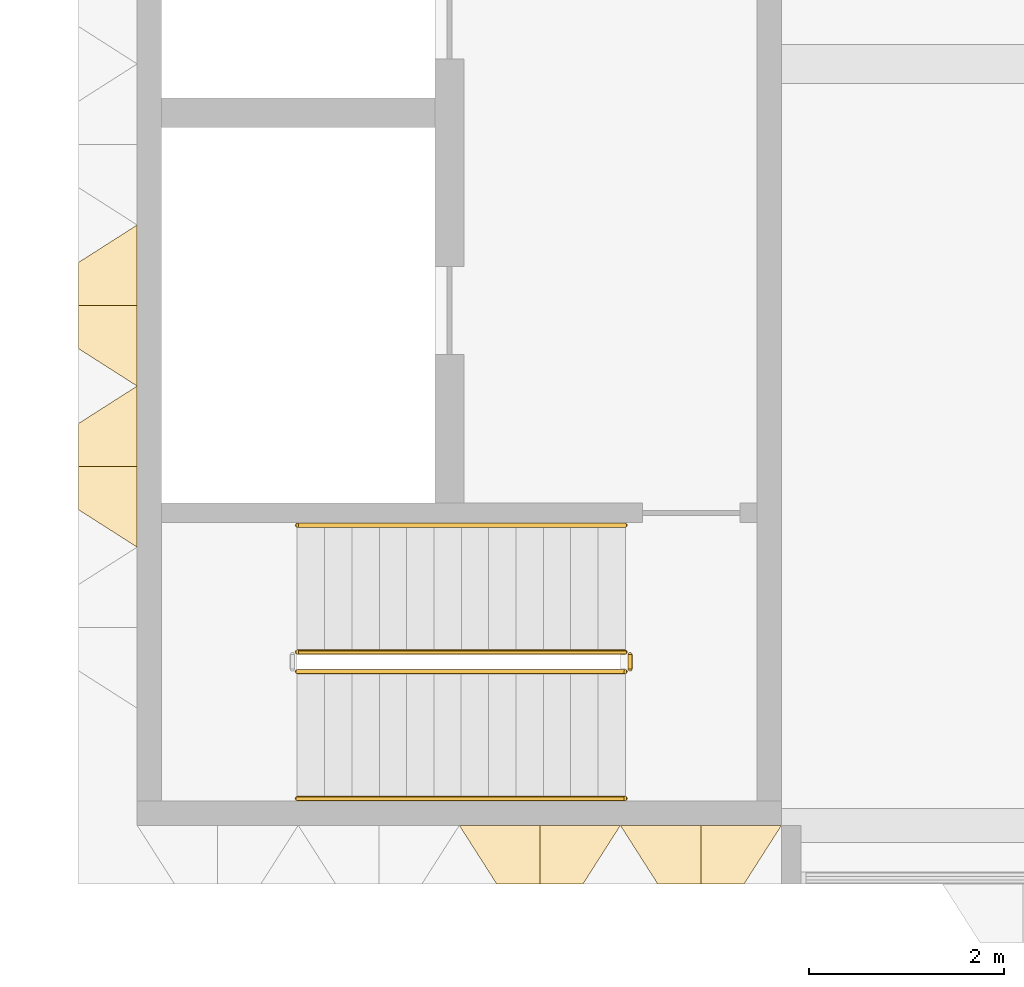
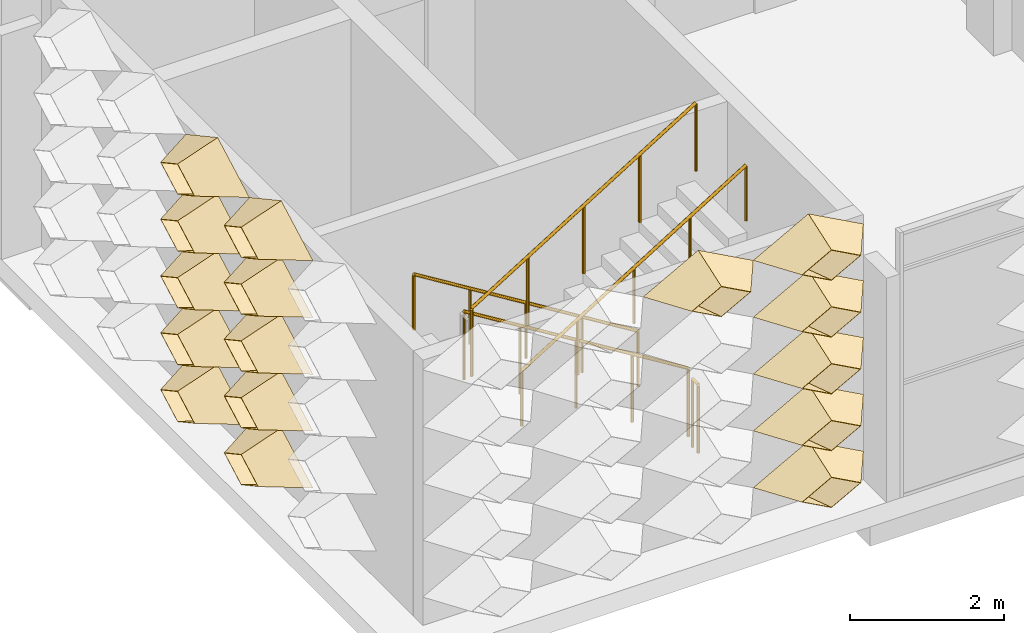
# One storey, part 12 of 28: 16 coverings, 5 railings.
"""IFC4 building model written with IfcOpenShell, lengths in metres."""

from ifc_helpers import new_model, entity, si_unit, direction, frame, origin, origin_2d, place, context, subcontext, project, spatial, circle, extrude, material, layer, layer_set, type_object, element, save


model = new_model("IFC4")

# Units and contexts
model_context = context("Model", 3, precision=1e-05, world=origin(), true_north=direction((0.0, 1.0)))
body_context = subcontext(model_context, "Body", "Model", "MODEL_VIEW")
ifc_project = project(units=[si_unit("LENGTHUNIT", "METRE"), si_unit("AREAUNIT", "SQUARE_METRE"), si_unit("VOLUMEUNIT", "CUBIC_METRE"), si_unit("PLANEANGLEUNIT", "RADIAN"), si_unit("MASSUNIT", "GRAM", prefix="KILO")], contexts=[model_context])

# Site, building, storey
site_placement = place(None, origin())
site = spatial("IfcSite", under=ifc_project, at=site_placement, CompositionType="ELEMENT")
building_placement = place(site_placement, origin())
building = spatial("IfcBuilding", under=site, at=building_placement, Name="Lantern Court Research Institute", CompositionType="ELEMENT")
storey_placement = place(building_placement, frame((0.0, 0.0, 36.89990234375)))
storey = spatial("IfcBuildingStorey", under=building, at=storey_placement, Name="L08", CompositionType="ELEMENT", Elevation=36.89990234375)

# Coverings
ifc_material_1 = material(Name="Anodised aluminium", Category="aluminium")
ifc_layer = layer(ifc_material_1, 0.01611328125)
ifc_layer_set = layer_set([ifc_layer], Name="Anodised aluminium")
covering_type = type_object("IfcCoveringType", Name="Fin cassette 1650 x 900 x 600 aluminium", PredefinedType="CLADDING", material=ifc_layer_set)
covering_1_placement = place(storey_placement, frame((58.574951171875, -7.800048828125, 0.4501953125), z_axis=(0.0, -1.0, 0.0), x_axis=(1.0, 0.0, 0.0)))
cartesian_point_1 = entity("IfcCartesianPoint", [0.824951171875, 0.0])
cartesian_point_2 = entity("IfcCartesianPoint", [0.79150390625, 0.0])
cartesian_point_3 = entity("IfcCartesianPoint", [0.44189453125, 0.0])
cartesian_point_4 = entity("IfcCartesianPoint", [0.43359375, 0.0])
element("IfcCovering", 1, at=covering_1_placement, inside=storey, type_object=covering_type, Name="Fin cassette V5S-L08 1.36", PredefinedType="CLADDING", context=body_context, shape_type="SweptSolid", body=[
    entity("IfcExtrudedAreaSolidTapered", entity("IfcArbitraryProfileDefWithVoids", "AREA", None, entity("IfcPolyline", [cartesian_point_1, entity("IfcCartesianPoint", [0.0, 0.449951171875]), entity("IfcCartesianPoint", [-0.824951171875, 0.0]), entity("IfcCartesianPoint", [0.0, -0.449951171875]), cartesian_point_1]), [entity("IfcPolyline", [cartesian_point_2, entity("IfcCartesianPoint", [0.0, 0.431884765625]), entity("IfcCartesianPoint", [-0.79150390625, 0.0]), entity("IfcCartesianPoint", [0.0, -0.431884765625]), cartesian_point_2])]), entity("IfcAxis2Placement3D", entity("IfcCartesianPoint", [0.0, 0.0, 0.0])), entity("IfcDirection", [0.0, 0.0, 1.0]), 0.60009765625, entity("IfcArbitraryProfileDefWithVoids", "AREA", None, entity("IfcPolyline", [cartesian_point_3, entity("IfcCartesianPoint", [0.0, 0.240966796875]), entity("IfcCartesianPoint", [-0.44189453125, 0.0]), entity("IfcCartesianPoint", [0.0, -0.240966796875]), cartesian_point_3]), [entity("IfcPolyline", [cartesian_point_4, entity("IfcCartesianPoint", [0.0, 0.236572265625]), entity("IfcCartesianPoint", [-0.43359375, 0.0]), entity("IfcCartesianPoint", [0.0, -0.236572265625]), cartesian_point_4])])),
])
covering_2_placement = place(storey_placement, frame((58.574951171875, -7.800048828125, 1.35009765625), z_axis=(0.0, -1.0, 0.0), x_axis=(1.0, 0.0, 0.0)))
cartesian_point_5 = entity("IfcCartesianPoint", [0.824951171875, 0.0])
cartesian_point_6 = entity("IfcCartesianPoint", [0.79150390625, 0.0])
cartesian_point_7 = entity("IfcCartesianPoint", [0.44189453125, 0.0])
cartesian_point_8 = entity("IfcCartesianPoint", [0.43359375, 0.0])
element("IfcCovering", 2, at=covering_2_placement, inside=storey, type_object=covering_type, Name="Fin cassette V5S-L08 2.36", PredefinedType="CLADDING", context=body_context, shape_type="SweptSolid", body=[
    entity("IfcExtrudedAreaSolidTapered", entity("IfcArbitraryProfileDefWithVoids", "AREA", None, entity("IfcPolyline", [cartesian_point_5, entity("IfcCartesianPoint", [0.0, 0.449951171875]), entity("IfcCartesianPoint", [-0.824951171875, 0.0]), entity("IfcCartesianPoint", [0.0, -0.449951171875]), cartesian_point_5]), [entity("IfcPolyline", [cartesian_point_6, entity("IfcCartesianPoint", [0.0, 0.431884765625]), entity("IfcCartesianPoint", [-0.79150390625, 0.0]), entity("IfcCartesianPoint", [0.0, -0.431884765625]), cartesian_point_6])]), entity("IfcAxis2Placement3D", entity("IfcCartesianPoint", [0.0, 0.0, 0.0])), entity("IfcDirection", [0.0, 0.0, 1.0]), 0.60009765625, entity("IfcArbitraryProfileDefWithVoids", "AREA", None, entity("IfcPolyline", [cartesian_point_7, entity("IfcCartesianPoint", [0.0, 0.240966796875]), entity("IfcCartesianPoint", [-0.44189453125, 0.0]), entity("IfcCartesianPoint", [0.0, -0.240966796875]), cartesian_point_7]), [entity("IfcPolyline", [cartesian_point_8, entity("IfcCartesianPoint", [0.0, 0.236572265625]), entity("IfcCartesianPoint", [-0.43359375, 0.0]), entity("IfcCartesianPoint", [0.0, -0.236572265625]), cartesian_point_8])])),
])
covering_3_placement = place(storey_placement, frame((58.574951171875, -7.800048828125, 2.25), z_axis=(0.0, -1.0, 0.0), x_axis=(1.0, 0.0, 0.0)))
cartesian_point_9 = entity("IfcCartesianPoint", [0.824951171875, 0.0])
cartesian_point_10 = entity("IfcCartesianPoint", [0.79150390625, 0.0])
cartesian_point_11 = entity("IfcCartesianPoint", [0.44189453125, 0.0])
cartesian_point_12 = entity("IfcCartesianPoint", [0.43359375, 0.0])
element("IfcCovering", 3, at=covering_3_placement, inside=storey, type_object=covering_type, Name="Fin cassette V5S-L08 3.36", PredefinedType="CLADDING", context=body_context, shape_type="SweptSolid", body=[
    entity("IfcExtrudedAreaSolidTapered", entity("IfcArbitraryProfileDefWithVoids", "AREA", None, entity("IfcPolyline", [cartesian_point_9, entity("IfcCartesianPoint", [0.0, 0.449951171875]), entity("IfcCartesianPoint", [-0.824951171875, 0.0]), entity("IfcCartesianPoint", [0.0, -0.449951171875]), cartesian_point_9]), [entity("IfcPolyline", [cartesian_point_10, entity("IfcCartesianPoint", [0.0, 0.431884765625]), entity("IfcCartesianPoint", [-0.79150390625, 0.0]), entity("IfcCartesianPoint", [0.0, -0.431884765625]), cartesian_point_10])]), entity("IfcAxis2Placement3D", entity("IfcCartesianPoint", [0.0, 0.0, 0.0])), entity("IfcDirection", [0.0, 0.0, 1.0]), 0.60009765625, entity("IfcArbitraryProfileDefWithVoids", "AREA", None, entity("IfcPolyline", [cartesian_point_11, entity("IfcCartesianPoint", [0.0, 0.240966796875]), entity("IfcCartesianPoint", [-0.44189453125, 0.0]), entity("IfcCartesianPoint", [0.0, -0.240966796875]), cartesian_point_11]), [entity("IfcPolyline", [cartesian_point_12, entity("IfcCartesianPoint", [0.0, 0.236572265625]), entity("IfcCartesianPoint", [-0.43359375, 0.0]), entity("IfcCartesianPoint", [0.0, -0.236572265625]), cartesian_point_12])])),
])
covering_4_placement = place(storey_placement, frame((58.574951171875, -7.800048828125, 3.150146484375), z_axis=(0.0, -1.0, 0.0), x_axis=(1.0, 0.0, 0.0)))
cartesian_point_13 = entity("IfcCartesianPoint", [0.824951171875, 0.0])
cartesian_point_14 = entity("IfcCartesianPoint", [0.79150390625, 0.0])
cartesian_point_15 = entity("IfcCartesianPoint", [0.44189453125, 0.0])
cartesian_point_16 = entity("IfcCartesianPoint", [0.43359375, 0.0])
element("IfcCovering", 4, at=covering_4_placement, inside=storey, type_object=covering_type, Name="Fin cassette V5S-L08 4.36", PredefinedType="CLADDING", context=body_context, shape_type="SweptSolid", body=[
    entity("IfcExtrudedAreaSolidTapered", entity("IfcArbitraryProfileDefWithVoids", "AREA", None, entity("IfcPolyline", [cartesian_point_13, entity("IfcCartesianPoint", [0.0, 0.449951171875]), entity("IfcCartesianPoint", [-0.824951171875, 0.0]), entity("IfcCartesianPoint", [0.0, -0.449951171875]), cartesian_point_13]), [entity("IfcPolyline", [cartesian_point_14, entity("IfcCartesianPoint", [0.0, 0.431884765625]), entity("IfcCartesianPoint", [-0.79150390625, 0.0]), entity("IfcCartesianPoint", [0.0, -0.431884765625]), cartesian_point_14])]), entity("IfcAxis2Placement3D", entity("IfcCartesianPoint", [0.0, 0.0, 0.0])), entity("IfcDirection", [0.0, 0.0, 1.0]), 0.60009765625, entity("IfcArbitraryProfileDefWithVoids", "AREA", None, entity("IfcPolyline", [cartesian_point_15, entity("IfcCartesianPoint", [0.0, 0.240966796875]), entity("IfcCartesianPoint", [-0.44189453125, 0.0]), entity("IfcCartesianPoint", [0.0, -0.240966796875]), cartesian_point_15]), [entity("IfcPolyline", [cartesian_point_16, entity("IfcCartesianPoint", [0.0, 0.236572265625]), entity("IfcCartesianPoint", [-0.43359375, 0.0]), entity("IfcCartesianPoint", [0.0, -0.236572265625]), cartesian_point_16])])),
])
covering_5_placement = place(storey_placement, frame((56.925048828125, -7.800048828125, 4.050048828125), z_axis=(0.0, -1.0, 0.0), x_axis=(1.0, 0.0, 0.0)))
cartesian_point_17 = entity("IfcCartesianPoint", [0.824951171875, 0.0])
cartesian_point_18 = entity("IfcCartesianPoint", [0.79150390625, 0.0])
cartesian_point_19 = entity("IfcCartesianPoint", [0.44189453125, 0.0])
cartesian_point_20 = entity("IfcCartesianPoint", [0.43359375, 0.0])
element("IfcCovering", 5, at=covering_5_placement, inside=storey, type_object=covering_type, Name="Fin cassette V5S-L08 5.35", PredefinedType="CLADDING", context=body_context, shape_type="SweptSolid", body=[
    entity("IfcExtrudedAreaSolidTapered", entity("IfcArbitraryProfileDefWithVoids", "AREA", None, entity("IfcPolyline", [cartesian_point_17, entity("IfcCartesianPoint", [0.0, 0.449951171875]), entity("IfcCartesianPoint", [-0.824951171875, 0.0]), entity("IfcCartesianPoint", [0.0, -0.449951171875]), cartesian_point_17]), [entity("IfcPolyline", [cartesian_point_18, entity("IfcCartesianPoint", [0.0, 0.431884765625]), entity("IfcCartesianPoint", [-0.79150390625, 0.0]), entity("IfcCartesianPoint", [0.0, -0.431884765625]), cartesian_point_18])]), entity("IfcAxis2Placement3D", entity("IfcCartesianPoint", [0.0, 0.0, 0.0])), entity("IfcDirection", [0.0, 0.0, 1.0]), 0.60009765625, entity("IfcArbitraryProfileDefWithVoids", "AREA", None, entity("IfcPolyline", [cartesian_point_19, entity("IfcCartesianPoint", [0.0, 0.240966796875]), entity("IfcCartesianPoint", [-0.44189453125, 0.0]), entity("IfcCartesianPoint", [0.0, -0.240966796875]), cartesian_point_19]), [entity("IfcPolyline", [cartesian_point_20, entity("IfcCartesianPoint", [0.0, 0.236572265625]), entity("IfcCartesianPoint", [-0.43359375, 0.0]), entity("IfcCartesianPoint", [0.0, -0.236572265625]), cartesian_point_20])])),
])
covering_6_placement = place(storey_placement, frame((58.574951171875, -7.800048828125, 4.050048828125), z_axis=(0.0, -1.0, 0.0), x_axis=(1.0, 0.0, 0.0)))
cartesian_point_21 = entity("IfcCartesianPoint", [0.824951171875, 0.0])
cartesian_point_22 = entity("IfcCartesianPoint", [0.79150390625, 0.0])
cartesian_point_23 = entity("IfcCartesianPoint", [0.44189453125, 0.0])
cartesian_point_24 = entity("IfcCartesianPoint", [0.43359375, 0.0])
element("IfcCovering", 6, at=covering_6_placement, inside=storey, type_object=covering_type, Name="Fin cassette V5S-L08 5.36", PredefinedType="CLADDING", context=body_context, shape_type="SweptSolid", body=[
    entity("IfcExtrudedAreaSolidTapered", entity("IfcArbitraryProfileDefWithVoids", "AREA", None, entity("IfcPolyline", [cartesian_point_21, entity("IfcCartesianPoint", [0.0, 0.449951171875]), entity("IfcCartesianPoint", [-0.824951171875, 0.0]), entity("IfcCartesianPoint", [0.0, -0.449951171875]), cartesian_point_21]), [entity("IfcPolyline", [cartesian_point_22, entity("IfcCartesianPoint", [0.0, 0.431884765625]), entity("IfcCartesianPoint", [-0.79150390625, 0.0]), entity("IfcCartesianPoint", [0.0, -0.431884765625]), cartesian_point_22])]), entity("IfcAxis2Placement3D", entity("IfcCartesianPoint", [0.0, 0.0, 0.0])), entity("IfcDirection", [0.0, 0.0, 1.0]), 0.60009765625, entity("IfcArbitraryProfileDefWithVoids", "AREA", None, entity("IfcPolyline", [cartesian_point_23, entity("IfcCartesianPoint", [0.0, 0.240966796875]), entity("IfcCartesianPoint", [-0.44189453125, 0.0]), entity("IfcCartesianPoint", [0.0, -0.240966796875]), cartesian_point_23]), [entity("IfcPolyline", [cartesian_point_24, entity("IfcCartesianPoint", [0.0, 0.236572265625]), entity("IfcCartesianPoint", [-0.43359375, 0.0]), entity("IfcCartesianPoint", [0.0, -0.236572265625]), cartesian_point_24])])),
])
covering_7_placement = place(storey_placement, frame((52.800048828125, -4.125, 0.4501953125), z_axis=(-1.0, 0.0, 0.0), x_axis=(0.0, -1.0, 0.0)))
cartesian_point_25 = entity("IfcCartesianPoint", [0.824951171875, 0.0])
cartesian_point_26 = entity("IfcCartesianPoint", [0.79150390625, 0.0])
cartesian_point_27 = entity("IfcCartesianPoint", [0.44189453125, 0.0])
cartesian_point_28 = entity("IfcCartesianPoint", [0.43359375, 0.0])
element("IfcCovering", 7, at=covering_7_placement, inside=storey, type_object=covering_type, Name="Fin cassette V5W-L08 1.-2", PredefinedType="CLADDING", context=body_context, shape_type="SweptSolid", body=[
    entity("IfcExtrudedAreaSolidTapered", entity("IfcArbitraryProfileDefWithVoids", "AREA", None, entity("IfcPolyline", [cartesian_point_25, entity("IfcCartesianPoint", [0.0, 0.449951171875]), entity("IfcCartesianPoint", [-0.824951171875, 0.0]), entity("IfcCartesianPoint", [0.0, -0.449951171875]), cartesian_point_25]), [entity("IfcPolyline", [cartesian_point_26, entity("IfcCartesianPoint", [0.0, 0.431884765625]), entity("IfcCartesianPoint", [-0.79150390625, 0.0]), entity("IfcCartesianPoint", [0.0, -0.431884765625]), cartesian_point_26])]), entity("IfcAxis2Placement3D", entity("IfcCartesianPoint", [0.0, 0.0, 0.0])), entity("IfcDirection", [0.0, 0.0, 1.0]), 0.60009765625, entity("IfcArbitraryProfileDefWithVoids", "AREA", None, entity("IfcPolyline", [cartesian_point_27, entity("IfcCartesianPoint", [0.0, 0.240966796875]), entity("IfcCartesianPoint", [-0.44189453125, 0.0]), entity("IfcCartesianPoint", [0.0, -0.240966796875]), cartesian_point_27]), [entity("IfcPolyline", [cartesian_point_28, entity("IfcCartesianPoint", [0.0, 0.236572265625]), entity("IfcCartesianPoint", [-0.43359375, 0.0]), entity("IfcCartesianPoint", [0.0, -0.236572265625]), cartesian_point_28])])),
])
covering_8_placement = place(storey_placement, frame((52.800048828125, -2.47509765625, 0.4501953125), z_axis=(-1.0, 0.0, 0.0), x_axis=(0.0, -1.0, 0.0)))
cartesian_point_29 = entity("IfcCartesianPoint", [0.824951171875, 0.0])
cartesian_point_30 = entity("IfcCartesianPoint", [0.79150390625, 0.0])
cartesian_point_31 = entity("IfcCartesianPoint", [0.44189453125, 0.0])
cartesian_point_32 = entity("IfcCartesianPoint", [0.43359375, 0.0])
element("IfcCovering", 8, at=covering_8_placement, inside=storey, type_object=covering_type, Name="Fin cassette V5W-L08 1.-1", PredefinedType="CLADDING", context=body_context, shape_type="SweptSolid", body=[
    entity("IfcExtrudedAreaSolidTapered", entity("IfcArbitraryProfileDefWithVoids", "AREA", None, entity("IfcPolyline", [cartesian_point_29, entity("IfcCartesianPoint", [0.0, 0.449951171875]), entity("IfcCartesianPoint", [-0.824951171875, 0.0]), entity("IfcCartesianPoint", [0.0, -0.449951171875]), cartesian_point_29]), [entity("IfcPolyline", [cartesian_point_30, entity("IfcCartesianPoint", [0.0, 0.431884765625]), entity("IfcCartesianPoint", [-0.79150390625, 0.0]), entity("IfcCartesianPoint", [0.0, -0.431884765625]), cartesian_point_30])]), entity("IfcAxis2Placement3D", entity("IfcCartesianPoint", [0.0, 0.0, 0.0])), entity("IfcDirection", [0.0, 0.0, 1.0]), 0.60009765625, entity("IfcArbitraryProfileDefWithVoids", "AREA", None, entity("IfcPolyline", [cartesian_point_31, entity("IfcCartesianPoint", [0.0, 0.240966796875]), entity("IfcCartesianPoint", [-0.44189453125, 0.0]), entity("IfcCartesianPoint", [0.0, -0.240966796875]), cartesian_point_31]), [entity("IfcPolyline", [cartesian_point_32, entity("IfcCartesianPoint", [0.0, 0.236572265625]), entity("IfcCartesianPoint", [-0.43359375, 0.0]), entity("IfcCartesianPoint", [0.0, -0.236572265625]), cartesian_point_32])])),
])
covering_9_placement = place(storey_placement, frame((52.800048828125, -4.125, 1.35009765625), z_axis=(-1.0, 0.0, 0.0), x_axis=(0.0, -1.0, 0.0)))
cartesian_point_33 = entity("IfcCartesianPoint", [0.824951171875, 0.0])
cartesian_point_34 = entity("IfcCartesianPoint", [0.79150390625, 0.0])
cartesian_point_35 = entity("IfcCartesianPoint", [0.44189453125, 0.0])
cartesian_point_36 = entity("IfcCartesianPoint", [0.43359375, 0.0])
element("IfcCovering", 9, at=covering_9_placement, inside=storey, type_object=covering_type, Name="Fin cassette V5W-L08 2.-2", PredefinedType="CLADDING", context=body_context, shape_type="SweptSolid", body=[
    entity("IfcExtrudedAreaSolidTapered", entity("IfcArbitraryProfileDefWithVoids", "AREA", None, entity("IfcPolyline", [cartesian_point_33, entity("IfcCartesianPoint", [0.0, 0.449951171875]), entity("IfcCartesianPoint", [-0.824951171875, 0.0]), entity("IfcCartesianPoint", [0.0, -0.449951171875]), cartesian_point_33]), [entity("IfcPolyline", [cartesian_point_34, entity("IfcCartesianPoint", [0.0, 0.431884765625]), entity("IfcCartesianPoint", [-0.79150390625, 0.0]), entity("IfcCartesianPoint", [0.0, -0.431884765625]), cartesian_point_34])]), entity("IfcAxis2Placement3D", entity("IfcCartesianPoint", [0.0, 0.0, 0.0])), entity("IfcDirection", [0.0, 0.0, 1.0]), 0.60009765625, entity("IfcArbitraryProfileDefWithVoids", "AREA", None, entity("IfcPolyline", [cartesian_point_35, entity("IfcCartesianPoint", [0.0, 0.240966796875]), entity("IfcCartesianPoint", [-0.44189453125, 0.0]), entity("IfcCartesianPoint", [0.0, -0.240966796875]), cartesian_point_35]), [entity("IfcPolyline", [cartesian_point_36, entity("IfcCartesianPoint", [0.0, 0.236572265625]), entity("IfcCartesianPoint", [-0.43359375, 0.0]), entity("IfcCartesianPoint", [0.0, -0.236572265625]), cartesian_point_36])])),
])
covering_10_placement = place(storey_placement, frame((52.800048828125, -2.47509765625, 1.35009765625), z_axis=(-1.0, 0.0, 0.0), x_axis=(0.0, -1.0, 0.0)))
cartesian_point_37 = entity("IfcCartesianPoint", [0.824951171875, 0.0])
cartesian_point_38 = entity("IfcCartesianPoint", [0.79150390625, 0.0])
cartesian_point_39 = entity("IfcCartesianPoint", [0.44189453125, 0.0])
cartesian_point_40 = entity("IfcCartesianPoint", [0.43359375, 0.0])
element("IfcCovering", 10, at=covering_10_placement, inside=storey, type_object=covering_type, Name="Fin cassette V5W-L08 2.-1", PredefinedType="CLADDING", context=body_context, shape_type="SweptSolid", body=[
    entity("IfcExtrudedAreaSolidTapered", entity("IfcArbitraryProfileDefWithVoids", "AREA", None, entity("IfcPolyline", [cartesian_point_37, entity("IfcCartesianPoint", [0.0, 0.449951171875]), entity("IfcCartesianPoint", [-0.824951171875, 0.0]), entity("IfcCartesianPoint", [0.0, -0.449951171875]), cartesian_point_37]), [entity("IfcPolyline", [cartesian_point_38, entity("IfcCartesianPoint", [0.0, 0.431884765625]), entity("IfcCartesianPoint", [-0.79150390625, 0.0]), entity("IfcCartesianPoint", [0.0, -0.431884765625]), cartesian_point_38])]), entity("IfcAxis2Placement3D", entity("IfcCartesianPoint", [0.0, 0.0, 0.0])), entity("IfcDirection", [0.0, 0.0, 1.0]), 0.60009765625, entity("IfcArbitraryProfileDefWithVoids", "AREA", None, entity("IfcPolyline", [cartesian_point_39, entity("IfcCartesianPoint", [0.0, 0.240966796875]), entity("IfcCartesianPoint", [-0.44189453125, 0.0]), entity("IfcCartesianPoint", [0.0, -0.240966796875]), cartesian_point_39]), [entity("IfcPolyline", [cartesian_point_40, entity("IfcCartesianPoint", [0.0, 0.236572265625]), entity("IfcCartesianPoint", [-0.43359375, 0.0]), entity("IfcCartesianPoint", [0.0, -0.236572265625]), cartesian_point_40])])),
])
covering_11_placement = place(storey_placement, frame((52.800048828125, -4.125, 2.25), z_axis=(-1.0, 0.0, 0.0), x_axis=(0.0, -1.0, 0.0)))
cartesian_point_41 = entity("IfcCartesianPoint", [0.824951171875, 0.0])
cartesian_point_42 = entity("IfcCartesianPoint", [0.79150390625, 0.0])
cartesian_point_43 = entity("IfcCartesianPoint", [0.44189453125, 0.0])
cartesian_point_44 = entity("IfcCartesianPoint", [0.43359375, 0.0])
element("IfcCovering", 11, at=covering_11_placement, inside=storey, type_object=covering_type, Name="Fin cassette V5W-L08 3.-2", PredefinedType="CLADDING", context=body_context, shape_type="SweptSolid", body=[
    entity("IfcExtrudedAreaSolidTapered", entity("IfcArbitraryProfileDefWithVoids", "AREA", None, entity("IfcPolyline", [cartesian_point_41, entity("IfcCartesianPoint", [0.0, 0.449951171875]), entity("IfcCartesianPoint", [-0.824951171875, 0.0]), entity("IfcCartesianPoint", [0.0, -0.449951171875]), cartesian_point_41]), [entity("IfcPolyline", [cartesian_point_42, entity("IfcCartesianPoint", [0.0, 0.431884765625]), entity("IfcCartesianPoint", [-0.79150390625, 0.0]), entity("IfcCartesianPoint", [0.0, -0.431884765625]), cartesian_point_42])]), entity("IfcAxis2Placement3D", entity("IfcCartesianPoint", [0.0, 0.0, 0.0])), entity("IfcDirection", [0.0, 0.0, 1.0]), 0.60009765625, entity("IfcArbitraryProfileDefWithVoids", "AREA", None, entity("IfcPolyline", [cartesian_point_43, entity("IfcCartesianPoint", [0.0, 0.240966796875]), entity("IfcCartesianPoint", [-0.44189453125, 0.0]), entity("IfcCartesianPoint", [0.0, -0.240966796875]), cartesian_point_43]), [entity("IfcPolyline", [cartesian_point_44, entity("IfcCartesianPoint", [0.0, 0.236572265625]), entity("IfcCartesianPoint", [-0.43359375, 0.0]), entity("IfcCartesianPoint", [0.0, -0.236572265625]), cartesian_point_44])])),
])
covering_12_placement = place(storey_placement, frame((52.800048828125, -2.47509765625, 2.25), z_axis=(-1.0, 0.0, 0.0), x_axis=(0.0, -1.0, 0.0)))
cartesian_point_45 = entity("IfcCartesianPoint", [0.824951171875, 0.0])
cartesian_point_46 = entity("IfcCartesianPoint", [0.79150390625, 0.0])
cartesian_point_47 = entity("IfcCartesianPoint", [0.44189453125, 0.0])
cartesian_point_48 = entity("IfcCartesianPoint", [0.43359375, 0.0])
element("IfcCovering", 12, at=covering_12_placement, inside=storey, type_object=covering_type, Name="Fin cassette V5W-L08 3.-1", PredefinedType="CLADDING", context=body_context, shape_type="SweptSolid", body=[
    entity("IfcExtrudedAreaSolidTapered", entity("IfcArbitraryProfileDefWithVoids", "AREA", None, entity("IfcPolyline", [cartesian_point_45, entity("IfcCartesianPoint", [0.0, 0.449951171875]), entity("IfcCartesianPoint", [-0.824951171875, 0.0]), entity("IfcCartesianPoint", [0.0, -0.449951171875]), cartesian_point_45]), [entity("IfcPolyline", [cartesian_point_46, entity("IfcCartesianPoint", [0.0, 0.431884765625]), entity("IfcCartesianPoint", [-0.79150390625, 0.0]), entity("IfcCartesianPoint", [0.0, -0.431884765625]), cartesian_point_46])]), entity("IfcAxis2Placement3D", entity("IfcCartesianPoint", [0.0, 0.0, 0.0])), entity("IfcDirection", [0.0, 0.0, 1.0]), 0.60009765625, entity("IfcArbitraryProfileDefWithVoids", "AREA", None, entity("IfcPolyline", [cartesian_point_47, entity("IfcCartesianPoint", [0.0, 0.240966796875]), entity("IfcCartesianPoint", [-0.44189453125, 0.0]), entity("IfcCartesianPoint", [0.0, -0.240966796875]), cartesian_point_47]), [entity("IfcPolyline", [cartesian_point_48, entity("IfcCartesianPoint", [0.0, 0.236572265625]), entity("IfcCartesianPoint", [-0.43359375, 0.0]), entity("IfcCartesianPoint", [0.0, -0.236572265625]), cartesian_point_48])])),
])
covering_13_placement = place(storey_placement, frame((52.800048828125, -4.125, 3.150146484375), z_axis=(-1.0, 0.0, 0.0), x_axis=(0.0, -1.0, 0.0)))
cartesian_point_49 = entity("IfcCartesianPoint", [0.824951171875, 0.0])
cartesian_point_50 = entity("IfcCartesianPoint", [0.79150390625, 0.0])
cartesian_point_51 = entity("IfcCartesianPoint", [0.44189453125, 0.0])
cartesian_point_52 = entity("IfcCartesianPoint", [0.43359375, 0.0])
element("IfcCovering", 13, at=covering_13_placement, inside=storey, type_object=covering_type, Name="Fin cassette V5W-L08 4.-2", PredefinedType="CLADDING", context=body_context, shape_type="SweptSolid", body=[
    entity("IfcExtrudedAreaSolidTapered", entity("IfcArbitraryProfileDefWithVoids", "AREA", None, entity("IfcPolyline", [cartesian_point_49, entity("IfcCartesianPoint", [0.0, 0.449951171875]), entity("IfcCartesianPoint", [-0.824951171875, 0.0]), entity("IfcCartesianPoint", [0.0, -0.449951171875]), cartesian_point_49]), [entity("IfcPolyline", [cartesian_point_50, entity("IfcCartesianPoint", [0.0, 0.431884765625]), entity("IfcCartesianPoint", [-0.79150390625, 0.0]), entity("IfcCartesianPoint", [0.0, -0.431884765625]), cartesian_point_50])]), entity("IfcAxis2Placement3D", entity("IfcCartesianPoint", [0.0, 0.0, 0.0])), entity("IfcDirection", [0.0, 0.0, 1.0]), 0.60009765625, entity("IfcArbitraryProfileDefWithVoids", "AREA", None, entity("IfcPolyline", [cartesian_point_51, entity("IfcCartesianPoint", [0.0, 0.240966796875]), entity("IfcCartesianPoint", [-0.44189453125, 0.0]), entity("IfcCartesianPoint", [0.0, -0.240966796875]), cartesian_point_51]), [entity("IfcPolyline", [cartesian_point_52, entity("IfcCartesianPoint", [0.0, 0.236572265625]), entity("IfcCartesianPoint", [-0.43359375, 0.0]), entity("IfcCartesianPoint", [0.0, -0.236572265625]), cartesian_point_52])])),
])
covering_14_placement = place(storey_placement, frame((52.800048828125, -2.47509765625, 3.150146484375), z_axis=(-1.0, 0.0, 0.0), x_axis=(0.0, -1.0, 0.0)))
cartesian_point_53 = entity("IfcCartesianPoint", [0.824951171875, 0.0])
cartesian_point_54 = entity("IfcCartesianPoint", [0.79150390625, 0.0])
cartesian_point_55 = entity("IfcCartesianPoint", [0.44189453125, 0.0])
cartesian_point_56 = entity("IfcCartesianPoint", [0.43359375, 0.0])
element("IfcCovering", 14, at=covering_14_placement, inside=storey, type_object=covering_type, Name="Fin cassette V5W-L08 4.-1", PredefinedType="CLADDING", context=body_context, shape_type="SweptSolid", body=[
    entity("IfcExtrudedAreaSolidTapered", entity("IfcArbitraryProfileDefWithVoids", "AREA", None, entity("IfcPolyline", [cartesian_point_53, entity("IfcCartesianPoint", [0.0, 0.449951171875]), entity("IfcCartesianPoint", [-0.824951171875, 0.0]), entity("IfcCartesianPoint", [0.0, -0.449951171875]), cartesian_point_53]), [entity("IfcPolyline", [cartesian_point_54, entity("IfcCartesianPoint", [0.0, 0.431884765625]), entity("IfcCartesianPoint", [-0.79150390625, 0.0]), entity("IfcCartesianPoint", [0.0, -0.431884765625]), cartesian_point_54])]), entity("IfcAxis2Placement3D", entity("IfcCartesianPoint", [0.0, 0.0, 0.0])), entity("IfcDirection", [0.0, 0.0, 1.0]), 0.60009765625, entity("IfcArbitraryProfileDefWithVoids", "AREA", None, entity("IfcPolyline", [cartesian_point_55, entity("IfcCartesianPoint", [0.0, 0.240966796875]), entity("IfcCartesianPoint", [-0.44189453125, 0.0]), entity("IfcCartesianPoint", [0.0, -0.240966796875]), cartesian_point_55]), [entity("IfcPolyline", [cartesian_point_56, entity("IfcCartesianPoint", [0.0, 0.236572265625]), entity("IfcCartesianPoint", [-0.43359375, 0.0]), entity("IfcCartesianPoint", [0.0, -0.236572265625]), cartesian_point_56])])),
])
covering_15_placement = place(storey_placement, frame((52.800048828125, -4.125, 4.050048828125), z_axis=(-1.0, 0.0, 0.0), x_axis=(0.0, -1.0, 0.0)))
cartesian_point_57 = entity("IfcCartesianPoint", [0.824951171875, 0.0])
cartesian_point_58 = entity("IfcCartesianPoint", [0.79150390625, 0.0])
cartesian_point_59 = entity("IfcCartesianPoint", [0.44189453125, 0.0])
cartesian_point_60 = entity("IfcCartesianPoint", [0.43359375, 0.0])
element("IfcCovering", 15, at=covering_15_placement, inside=storey, type_object=covering_type, Name="Fin cassette V5W-L08 5.-2", PredefinedType="CLADDING", context=body_context, shape_type="SweptSolid", body=[
    entity("IfcExtrudedAreaSolidTapered", entity("IfcArbitraryProfileDefWithVoids", "AREA", None, entity("IfcPolyline", [cartesian_point_57, entity("IfcCartesianPoint", [0.0, 0.449951171875]), entity("IfcCartesianPoint", [-0.824951171875, 0.0]), entity("IfcCartesianPoint", [0.0, -0.449951171875]), cartesian_point_57]), [entity("IfcPolyline", [cartesian_point_58, entity("IfcCartesianPoint", [0.0, 0.431884765625]), entity("IfcCartesianPoint", [-0.79150390625, 0.0]), entity("IfcCartesianPoint", [0.0, -0.431884765625]), cartesian_point_58])]), entity("IfcAxis2Placement3D", entity("IfcCartesianPoint", [0.0, 0.0, 0.0])), entity("IfcDirection", [0.0, 0.0, 1.0]), 0.60009765625, entity("IfcArbitraryProfileDefWithVoids", "AREA", None, entity("IfcPolyline", [cartesian_point_59, entity("IfcCartesianPoint", [0.0, 0.240966796875]), entity("IfcCartesianPoint", [-0.44189453125, 0.0]), entity("IfcCartesianPoint", [0.0, -0.240966796875]), cartesian_point_59]), [entity("IfcPolyline", [cartesian_point_60, entity("IfcCartesianPoint", [0.0, 0.236572265625]), entity("IfcCartesianPoint", [-0.43359375, 0.0]), entity("IfcCartesianPoint", [0.0, -0.236572265625]), cartesian_point_60])])),
])
covering_16_placement = place(storey_placement, frame((52.800048828125, -2.47509765625, 4.050048828125), z_axis=(-1.0, 0.0, 0.0), x_axis=(0.0, -1.0, 0.0)))
cartesian_point_61 = entity("IfcCartesianPoint", [0.824951171875, 0.0])
cartesian_point_62 = entity("IfcCartesianPoint", [0.79150390625, 0.0])
cartesian_point_63 = entity("IfcCartesianPoint", [0.44189453125, 0.0])
cartesian_point_64 = entity("IfcCartesianPoint", [0.43359375, 0.0])
element("IfcCovering", 16, at=covering_16_placement, inside=storey, type_object=covering_type, Name="Fin cassette V5W-L08 5.-1", PredefinedType="CLADDING", context=body_context, shape_type="SweptSolid", body=[
    entity("IfcExtrudedAreaSolidTapered", entity("IfcArbitraryProfileDefWithVoids", "AREA", None, entity("IfcPolyline", [cartesian_point_61, entity("IfcCartesianPoint", [0.0, 0.449951171875]), entity("IfcCartesianPoint", [-0.824951171875, 0.0]), entity("IfcCartesianPoint", [0.0, -0.449951171875]), cartesian_point_61]), [entity("IfcPolyline", [cartesian_point_62, entity("IfcCartesianPoint", [0.0, 0.431884765625]), entity("IfcCartesianPoint", [-0.79150390625, 0.0]), entity("IfcCartesianPoint", [0.0, -0.431884765625]), cartesian_point_62])]), entity("IfcAxis2Placement3D", entity("IfcCartesianPoint", [0.0, 0.0, 0.0])), entity("IfcDirection", [0.0, 0.0, 1.0]), 0.60009765625, entity("IfcArbitraryProfileDefWithVoids", "AREA", None, entity("IfcPolyline", [cartesian_point_63, entity("IfcCartesianPoint", [0.0, 0.240966796875]), entity("IfcCartesianPoint", [-0.44189453125, 0.0]), entity("IfcCartesianPoint", [0.0, -0.240966796875]), cartesian_point_63]), [entity("IfcPolyline", [cartesian_point_64, entity("IfcCartesianPoint", [0.0, 0.236572265625]), entity("IfcCartesianPoint", [-0.43359375, 0.0]), entity("IfcCartesianPoint", [0.0, -0.236572265625]), cartesian_point_64])])),
])

# Railings
ifc_material_2 = material(Name="Structural steel S355", Category="steel")
railing_type_1 = type_object("IfcRailingType", Name="Stair guard 1100 steel", PredefinedType="GUARDRAIL", material=ifc_material_2)
railing_1_placement = place(storey_placement, frame((57.800048828125, -6.02490234375, 0.173095703125)))
element("IfcRailing", 17, at=railing_1_placement, inside=storey, type_object=railing_type_1, Name="L08 ST-T1 stair guard 1", PredefinedType="GUARDRAIL", context=body_context, shape_type="SweptSolid", body=[
    extrude(circle(Radius=0.02392578125, at=origin_2d()), frame((0.0, 0.0, 1.076171875), z_axis=(-0.850623216509, 0.0, 0.525775754039), x_axis=(0.0, -1.0, 0.0)), (0.0, 0.0, 1.0), 3.9501953125),
    extrude(circle(Radius=0.02099609375, at=origin_2d()), origin(), (0.0, 0.0, 1.0), 1.052001953125),
    extrude(circle(Radius=0.02099609375, at=origin_2d()), frame((-0.840087890625, 0.0, 0.519287109375)), (0.0, 0.0, 1.0), 1.052001953125),
    extrude(circle(Radius=0.02099609375, at=origin_2d()), frame((-1.68017578125, 0.0, 1.03857421875)), (0.0, 0.0, 1.0), 1.052001953125),
    extrude(circle(Radius=0.02099609375, at=origin_2d()), frame((-2.52001953125, 0.0, 1.5576171875)), (0.0, 0.0, 1.0), 1.052001953125),
    extrude(circle(Radius=0.02099609375, at=origin_2d()), frame((-3.360107421875, 0.0, 2.076904296875)), (0.0, 0.0, 1.0), 1.052001953125),
])
railing_2_placement = place(storey_placement, frame((54.43994140625, -6.22509765625, 2.423095703125)))
element("IfcRailing", 18, at=railing_2_placement, inside=storey, type_object=railing_type_1, Name="L08 ST-T1 stair guard 3", PredefinedType="GUARDRAIL", context=body_context, shape_type="SweptSolid", body=[
    extrude(circle(Radius=0.02392578125, at=origin_2d()), frame((0.0, 0.0, 1.076171875), z_axis=(0.850623216509, 0.0, 0.525775754039), x_axis=(0.0, 1.0, 0.0)), (0.0, 0.0, 1.0), 3.9501953125),
    extrude(circle(Radius=0.02099609375, at=origin_2d()), origin(), (0.0, 0.0, 1.0), 1.052001953125),
    extrude(circle(Radius=0.02099609375, at=origin_2d()), frame((0.840087890625, 0.0, 0.519287109375)), (0.0, 0.0, 1.0), 1.052001953125),
    extrude(circle(Radius=0.02099609375, at=origin_2d()), frame((1.68017578125, 0.0, 1.03857421875)), (0.0, 0.0, 1.0), 1.052001953125),
    extrude(circle(Radius=0.02099609375, at=origin_2d()), frame((2.52001953125, 0.0, 1.5576171875)), (0.0, 0.0, 1.0), 1.052001953125),
    extrude(circle(Radius=0.02099609375, at=origin_2d()), frame((3.360107421875, 0.0, 2.076904296875)), (0.0, 0.0, 1.0), 1.052001953125),
])
railing_3_placement = place(storey_placement, frame((57.85009765625, -6.050048828125, 0.0)))
element("IfcRailing", 19, at=railing_3_placement, inside=storey, type_object=railing_type_1, Name="L08 ST-T1 stair guard 4", PredefinedType="GUARDRAIL", context=body_context, shape_type="SweptSolid", body=[
    extrude(circle(Radius=0.02392578125, at=origin_2d()), frame((0.0, 0.0, 1.076171875), z_axis=(0.0, -1.0, 0.0), x_axis=(1.0, 0.0, 0.0)), (0.0, 0.0, 1.0), 0.14990234375),
    extrude(circle(Radius=0.02099609375, at=origin_2d()), origin(), (0.0, 0.0, 1.0), 1.052001953125),
    extrude(circle(Radius=0.02099609375, at=origin_2d()), frame((0.0, -0.14990234375, 0.0)), (0.0, 0.0, 1.0), 1.052001953125),
])
ifc_material_3 = material(Name="Stainless steel 316", Category="steel")
railing_type_2 = type_object("IfcRailingType", Name="Stair handrail 900 steel", PredefinedType="HANDRAIL", material=ifc_material_3)
railing_4_placement = place(storey_placement, frame((57.800048828125, -4.72509765625, 0.173095703125)))
element("IfcRailing", 20, at=railing_4_placement, inside=storey, type_object=railing_type_2, Name="L08 ST-T1 stair handrail 1", PredefinedType="HANDRAIL", context=body_context, shape_type="SweptSolid", body=[
    extrude(circle(Radius=0.02392578125, at=origin_2d()), frame((0.0, 0.0, 0.8759765625), z_axis=(-0.850623216509, 0.0, 0.525775754039), x_axis=(0.0, -1.0, 0.0)), (0.0, 0.0, 1.0), 3.9501953125),
    extrude(circle(Radius=0.02099609375, at=origin_2d()), origin(), (0.0, 0.0, 1.0), 0.851806640625),
    extrude(circle(Radius=0.02099609375, at=origin_2d()), frame((-0.840087890625, 0.0, 0.519287109375)), (0.0, 0.0, 1.0), 0.851806640625),
    extrude(circle(Radius=0.02099609375, at=origin_2d()), frame((-1.68017578125, 0.0, 1.03857421875)), (0.0, 0.0, 1.0), 0.851806640625),
    extrude(circle(Radius=0.02099609375, at=origin_2d()), frame((-2.52001953125, 0.0, 1.5576171875)), (0.0, 0.0, 1.0), 0.851806640625),
    extrude(circle(Radius=0.02099609375, at=origin_2d()), frame((-3.360107421875, 0.0, 2.076904296875)), (0.0, 0.0, 1.0), 0.851806640625),
])
railing_5_placement = place(storey_placement, frame((54.43994140625, -7.52490234375, 2.423095703125)))
element("IfcRailing", 21, at=railing_5_placement, inside=storey, type_object=railing_type_2, Name="L08 ST-T1 stair handrail 2", PredefinedType="HANDRAIL", context=body_context, shape_type="SweptSolid", body=[
    extrude(circle(Radius=0.02392578125, at=origin_2d()), frame((0.0, 0.0, 0.8759765625), z_axis=(0.850623216509, 0.0, 0.525775754039), x_axis=(0.0, 1.0, 0.0)), (0.0, 0.0, 1.0), 3.9501953125),
    extrude(circle(Radius=0.02099609375, at=origin_2d()), origin(), (0.0, 0.0, 1.0), 0.851806640625),
    extrude(circle(Radius=0.02099609375, at=origin_2d()), frame((0.840087890625, 0.0, 0.519287109375)), (0.0, 0.0, 1.0), 0.851806640625),
    extrude(circle(Radius=0.02099609375, at=origin_2d()), frame((1.68017578125, 0.0, 1.03857421875)), (0.0, 0.0, 1.0), 0.851806640625),
    extrude(circle(Radius=0.02099609375, at=origin_2d()), frame((2.52001953125, 0.0, 1.5576171875)), (0.0, 0.0, 1.0), 0.851806640625),
    extrude(circle(Radius=0.02099609375, at=origin_2d()), frame((3.360107421875, 0.0, 2.076904296875)), (0.0, 0.0, 1.0), 0.851806640625),
])

save(model, "model.ifc")
